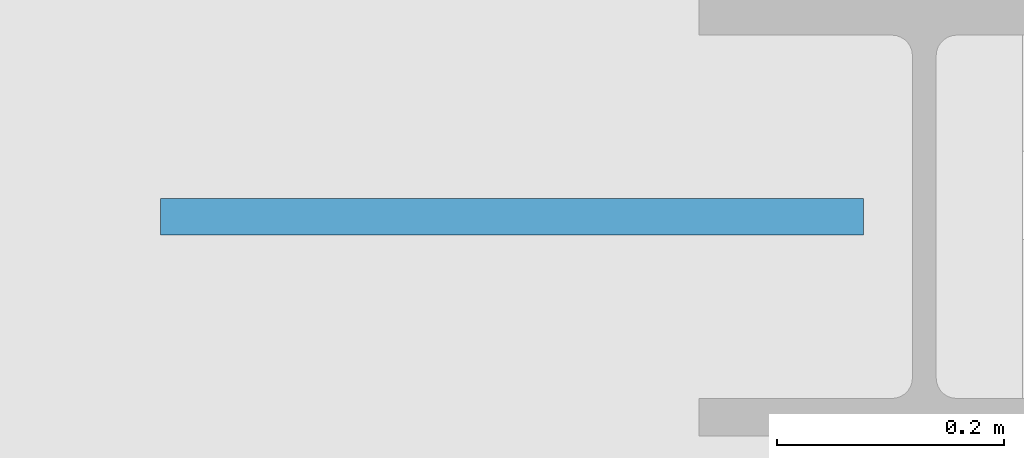
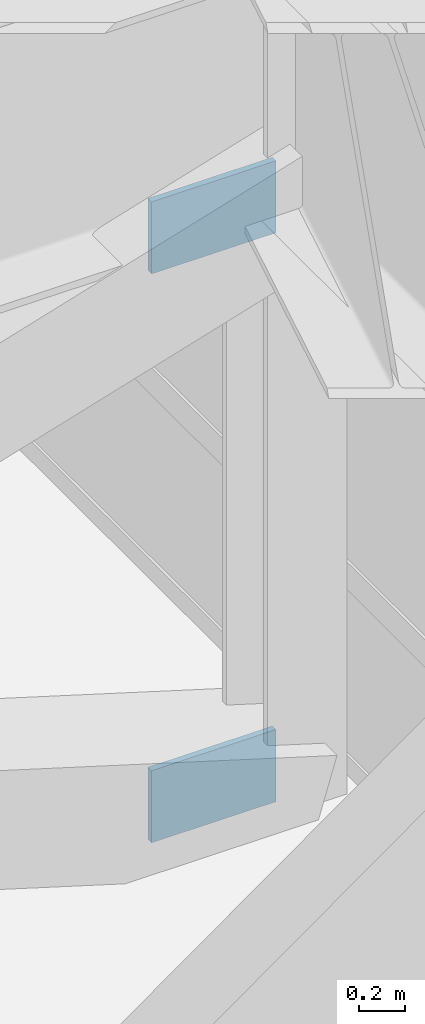
# One storey, part 28 of 32: 2 plates.
"""IFC4 building model written with IfcOpenShell, lengths in metres."""

import ifcopenshell
import ifcopenshell.guid

model = None  # the IFC model being written
_history = None  # IfcOwnerHistory: only IFC2X3 demands one
_inside = {}  # id of a spatial element -> (the spatial element, [elements in it])
_under = {}  # id of a project, library or spatial element -> (it, [spatial elements below it])
_declared = {}  # id of a project -> (the project, [libraries it declares])
_typed = {}  # id of a type object -> (the type object, [elements of that type])
_made_of = {}  # id of a material, layer set ... -> (it, [elements and type objects made of it])


def new_model(schema):
    """Start an empty IFC model of exactly this schema.

    Asked for "IFC4X3", IfcOpenShell would pick the latest addendum, in which some entities
    have other attributes; the version numbers below select the first issue.
    IFC2X3 requires an IfcOwnerHistory on every rooted entity: one is made here for all.
    """
    global model, _history
    if schema == "IFC4X3":
        model = ifcopenshell.file(schema_version=(4, 3, 0, 0))
    else:
        model = ifcopenshell.file(schema=schema)
    _inside.clear()
    _under.clear()
    _declared.clear()
    _typed.clear()
    _made_of.clear()
    _history = None
    if model.schema == "IFC2X3":
        org = make("IfcOrganization", Name="unknown")
        user = make(
            "IfcPersonAndOrganization",
            ThePerson=make("IfcPerson", FamilyName="unknown"),
            TheOrganization=org,
        )
        app = make(
            "IfcApplication",
            ApplicationDeveloper=org,
            Version="unknown",
            ApplicationFullName="unknown",
            ApplicationIdentifier="unknown",
        )
        _history = make(
            "IfcOwnerHistory",
            OwningUser=user,
            OwningApplication=app,
            ChangeAction="ADDED",
            CreationDate=0,
        )
    return model


def make(cls, **values):
    """One entity of the class cls with the attributes given. An attribute that is None is left unset."""
    return model.create_entity(
        cls, **{name: value for name, value in values.items() if value is not None}
    )


def rooted(cls, **values):
    """An entity with a GlobalId (a new one), such as an element, a storey or a relation."""
    return make(cls, GlobalId=ifcopenshell.guid.new(), OwnerHistory=_history, **values)


def si_unit(unit_type, name, prefix=None):
    """IfcSIUnit, for example si_unit("LENGTHUNIT", "METRE", prefix="MILLI")."""
    return make("IfcSIUnit", UnitType=unit_type, Prefix=prefix, Name=name)


def assignment(units):
    """IfcUnitAssignment: the units of a project."""
    return None if units is None else make("IfcUnitAssignment", Units=units)


def point(xyz):
    """IfcCartesianPoint."""
    return None if xyz is None else make("IfcCartesianPoint", Coordinates=xyz)


def direction(xyz):
    """IfcDirection."""
    return None if xyz is None else make("IfcDirection", DirectionRatios=xyz)


def frame(location, z_axis=None, x_axis=None):
    """IfcAxis2Placement3D, a coordinate frame: its origin and axes. An axis left out is left unset."""
    return make(
        "IfcAxis2Placement3D",
        Location=point(location),
        Axis=direction(z_axis),
        RefDirection=direction(x_axis),
    )


def frame_2d(location, x_axis=None):
    """IfcAxis2Placement2D, a coordinate frame in the plane: its origin and x axis."""
    return make(
        "IfcAxis2Placement2D", Location=point(location), RefDirection=direction(x_axis)
    )


def origin():
    """The frame at (0, 0, 0) with its axes left unset."""
    return frame((0.0, 0.0, 0.0))


def origin_2d():
    """The frame at (0, 0) in the plane with its x axis left unset."""
    return frame_2d((0.0, 0.0))


def place(relative_to, where):
    """IfcLocalPlacement: puts the frame where relative to a parent placement (None: the world)."""
    return make(
        "IfcLocalPlacement", PlacementRelTo=relative_to, RelativePlacement=where
    )


def context(
    kind, dimensions, precision=None, world=None, true_north=None, identifier=None
):
    """IfcGeometricRepresentationContext, for example the 3D "Model" context."""
    return make(
        "IfcGeometricRepresentationContext",
        ContextIdentifier=identifier,
        ContextType=kind,
        CoordinateSpaceDimension=dimensions,
        Precision=precision,
        WorldCoordinateSystem=world,
        TrueNorth=true_north,
    )


def subcontext(parent, identifier, kind, view, scale=None):
    """IfcGeometricRepresentationSubContext, for example "Body" below "Model"."""
    return make(
        "IfcGeometricRepresentationSubContext",
        ContextIdentifier=identifier,
        ContextType=kind,
        ParentContext=parent,
        TargetScale=scale,
        TargetView=view,
    )


def project(units=None, contexts=None):
    """IfcProject with its units and contexts."""
    return rooted(
        "IfcProject",
        Name="project",
        RepresentationContexts=contexts,
        UnitsInContext=assignment(units),
    )


def spatial(cls, under=None, at=None, **own):
    """A site, building, storey or space (cls), placed at a placement, below another one or the project."""
    s = rooted(cls, ObjectPlacement=at, **own)
    if under is not None:
        _under.setdefault(under.id(), (under, []))[1].append(s)
    return s


def profile(cls, at=None, kind="AREA", **sizes):
    """A parametric profile (cls). Its sizes go by their IFC names, for example OverallWidth=200.0."""
    return make(cls, ProfileType=kind, Position=at, **sizes)


def rectangle(**sizes):
    """IfcRectangleProfileDef."""
    return profile("IfcRectangleProfileDef", **sizes)


def extrude(swept, where, along, depth):
    """IfcExtrudedAreaSolid: the profile swept, set in the frame where, extruded along a direction by depth."""
    return make(
        "IfcExtrudedAreaSolid",
        SweptArea=swept,
        Position=where,
        ExtrudedDirection=direction(along),
        Depth=depth,
    )


def shape(context_of_items, identifier, shape_type, items):
    """IfcShapeRepresentation: the items that make up one representation, for example the "Body"."""
    return make(
        "IfcShapeRepresentation",
        ContextOfItems=context_of_items,
        RepresentationIdentifier=identifier,
        RepresentationType=shape_type,
        Items=items,
    )


def source(mapping_origin, context_of_items, identifier, shape_type, items):
    """IfcRepresentationMap: a shape defined once, which mapped items show again and again."""
    return make(
        "IfcRepresentationMap",
        MappingOrigin=mapping_origin,
        MappedRepresentation=shape(context_of_items, identifier, shape_type, items),
    )


def transform(
    local_origin,
    x_axis=None,
    y_axis=None,
    z_axis=None,
    scale=None,
    scale2=None,
    scale3=None,
    uniform=True,
):
    """IfcCartesianTransformationOperator3D, or its non-uniform kind. x_axis, y_axis, z_axis: its Axis1, 2, 3."""
    if uniform:
        return make(
            "IfcCartesianTransformationOperator3D",
            Axis1=direction(x_axis),
            Axis2=direction(y_axis),
            LocalOrigin=point(local_origin),
            Scale=scale,
            Axis3=direction(z_axis),
        )
    return make(
        "IfcCartesianTransformationOperator3DnonUniform",
        Axis1=direction(x_axis),
        Axis2=direction(y_axis),
        LocalOrigin=point(local_origin),
        Scale=scale,
        Axis3=direction(z_axis),
        Scale2=scale2,
        Scale3=scale3,
    )


def mapped(mapping_source, mapping_target):
    """IfcMappedItem: shows the shape of a source again, moved by a transform."""
    return make(
        "IfcMappedItem", MappingSource=mapping_source, MappingTarget=mapping_target
    )


def material(Name=None, Category=None):
    """IfcMaterial."""
    return make("IfcMaterial", Name=Name, Category=Category)


def layer(
    of_material, thickness, ventilated=None, Name=None, Category=None, Priority=None
):
    """IfcMaterialLayer: one layer of a wall or slab, of a material (None: an air gap)."""
    return make(
        "IfcMaterialLayer",
        Material=of_material,
        LayerThickness=thickness,
        IsVentilated=ventilated,
        Name=Name,
        Category=Category,
        Priority=Priority,
    )


def layer_set(layers, Name=None):
    """IfcMaterialLayerSet."""
    return make("IfcMaterialLayerSet", MaterialLayers=layers, LayerSetName=Name)


def made_of(thing, what):
    """Note that an element or type object is made of a material, layer set ...; save() writes the relation."""
    if what is not None:
        _made_of.setdefault(what.id(), (what, []))[1].append(thing)
    return thing


def type_object(cls, material=None, **own):
    """A type object (cls), such as IfcWallType, which elements share."""
    return made_of(rooted(cls, **own), material)


def type_shapes(of_type, sources):
    """Give a type object the sources (RepresentationMaps) that its elements show as mapped items."""
    of_type.RepresentationMaps = sources


def element(
    cls,
    number,
    at=None,
    inside=None,
    cuts=None,
    type_object=None,
    material=None,
    context=None,
    identifier="Body",
    shape_type=None,
    held_by="IfcProductDefinitionShape",
    body=None,
    shapes=None,
    **own,
):
    """One element of the class cls, such as IfcWall. Its Tag is "e" and its number.

    at: its placement. inside: the storey or other place that contains it. cuts: it is an
    opening in that element (IfcRelVoidsElement). A single representation is given by context,
    identifier, shape_type and body (its items); several are given by shapes. held_by: the class
    of the entity that holds the representations. save() writes the other relations.
    """
    e = rooted(cls, Tag="e%d" % number, ObjectPlacement=at, **own)
    if body is not None:
        shapes = [shape(context, identifier, shape_type, body)]
    if shapes is not None:
        e.Representation = make(held_by, Representations=shapes)
    if inside is not None:
        _inside.setdefault(inside.id(), (inside, []))[1].append(e)
    if cuts is not None:
        rooted(
            "IfcRelVoidsElement", RelatingBuildingElement=cuts, RelatedOpeningElement=e
        )
    if type_object is not None:
        _typed.setdefault(type_object.id(), (type_object, []))[1].append(e)
    return made_of(e, material)


def aggregate(whole, parts):
    """IfcRelAggregates: a whole, such as a stair, and the parts it consists of."""
    return rooted("IfcRelAggregates", RelatingObject=whole, RelatedObjects=parts)


def save(model, path):
    """Write the relations noted so far, then the file.

    IfcRelAggregates (storeys below a building ...), IfcRelContainedInSpatialStructure (elements
    in a storey), IfcRelDefinesByType, IfcRelAssociatesMaterial and IfcRelDeclares: one each for
    every whole, place, type object, material and project.
    """
    for whole, parts in _under.values():
        aggregate(whole, parts)
    for where, things in _inside.values():
        rooted(
            "IfcRelContainedInSpatialStructure",
            RelatedElements=things,
            RelatingStructure=where,
        )
    for kind, things in _typed.values():
        rooted("IfcRelDefinesByType", RelatedObjects=things, RelatingType=kind)
    for what, things in _made_of.values():
        rooted("IfcRelAssociatesMaterial", RelatedObjects=things, RelatingMaterial=what)
    for by, libraries in _declared.values():
        rooted("IfcRelDeclares", RelatingContext=by, RelatedDefinitions=libraries)
    model.write(path)


model = new_model("IFC4")

# Units and contexts
model_context = context("Model", 3, precision=1e-05, world=origin(), true_north=direction((0.0, 1.0)))
body_context = subcontext(model_context, "Body", "Model", "MODEL_VIEW")
ifc_project = project(units=[si_unit("LENGTHUNIT", "METRE"), si_unit("AREAUNIT", "SQUARE_METRE"), si_unit("VOLUMEUNIT", "CUBIC_METRE"), si_unit("PLANEANGLEUNIT", "RADIAN"), si_unit("MASSUNIT", "GRAM", prefix="KILO")], contexts=[model_context])

# Site, building, storey
site_placement = place(None, origin())
site = spatial("IfcSite", under=ifc_project, at=site_placement, CompositionType="ELEMENT")
building_placement = place(site_placement, origin())
building = spatial("IfcBuilding", under=site, at=building_placement, Name="Varnel Quay Broadcast Tower", CompositionType="ELEMENT")
storey_placement = place(building_placement, frame((0.0, 0.0, 141.0)))
storey = spatial("IfcBuildingStorey", under=building, at=storey_placement, Name="L34", CompositionType="ELEMENT", Elevation=141.0)

# Plates
ifc_material = material(Name="Structural Steel CSA G40.21 350WT", Category="steel")
ifc_layer = layer(ifc_material, 0.031982421875, Name="Structural Steel CSA G40.21 350WT")
ifc_layer_set = layer_set([ifc_layer], Name="Structural Steel CSA G40.21 350WT")
plate_type = type_object("IfcPlateType", Name="Plate_EndCap", PredefinedType="USERDEFINED", material=ifc_layer_set)
shared_shape = source(origin(), body_context, "Body", "SweptSolid", [
    extrude(rectangle(XDim=0.6201171875, YDim=0.031982421875, at=origin_2d()), origin(), (0.0, 0.0, 1.0), 0.3798828125),
])
type_shapes(plate_type, [shared_shape])
for number, where, z_axis, x_axis, name in (
    (1, (62.686279296875, 35.60009765625, 2.93994140625), (0.0, 0.0, 1.0), (1.0, 0.0, 0.0), "L34 Outrigger E Diag A End Connection Plate P1"),
    (2, (62.686279296875, 35.60009765625, -0.06005859375), (0.0, 0.0, 1.0), (1.0, 0.0, 0.0), "L34 Outrigger E Diag B1 End Connection Plate P0"),
):
    element("IfcPlate", number, at=place(storey_placement, frame(where, z_axis=z_axis, x_axis=x_axis)), inside=storey, type_object=plate_type, Name=name, ObjectType="CAP_PLATE", PredefinedType="USERDEFINED", context=body_context, shape_type="MappedRepresentation", body=[
        mapped(shared_shape, transform((0.0, 0.0, 0.0), x_axis=(1.0, 0.0, 0.0), y_axis=(0.0, 1.0, 0.0), z_axis=(0.0, 0.0, 1.0), scale=1.0)),
    ])

save(model, "model.ifc")
